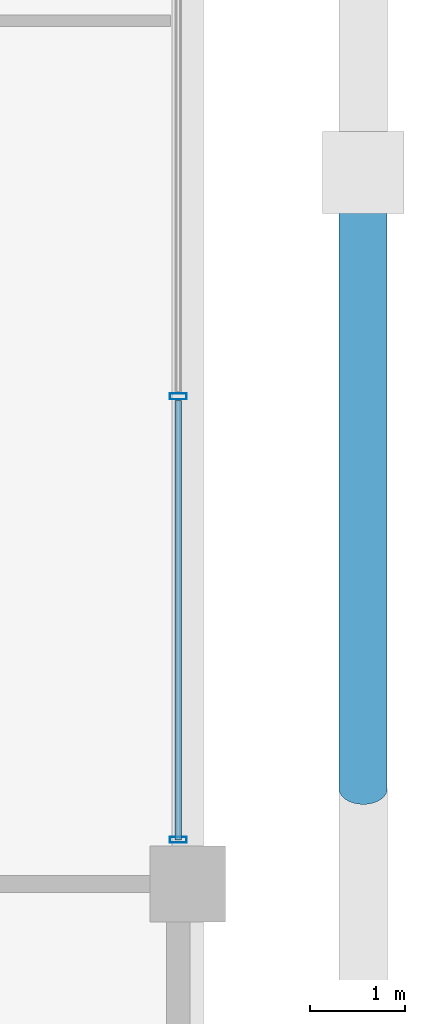
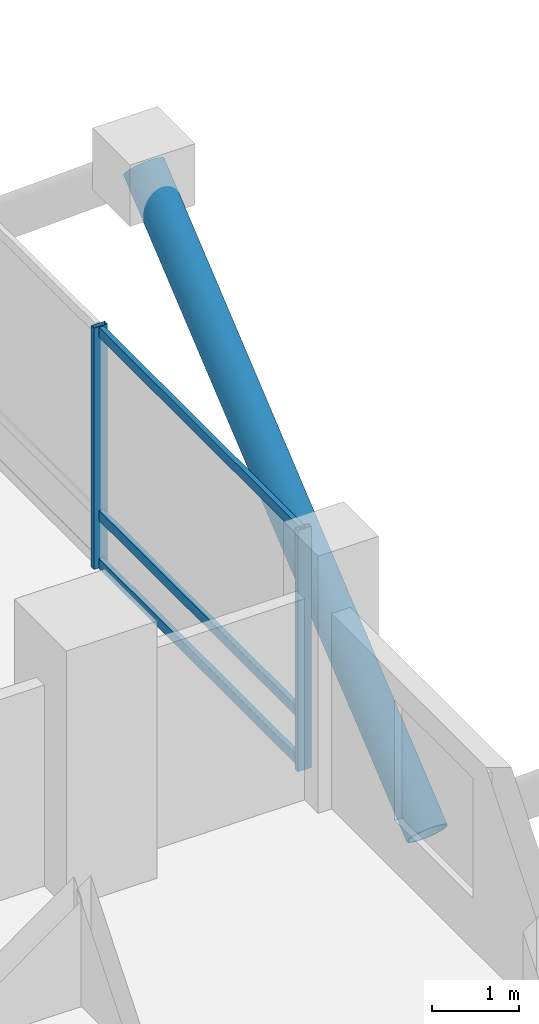
# One storey, part 8 of 23: 6 members, 1 element without a shape of its own.
"""IFC4 building model written with IfcOpenShell, lengths in metres."""

from ifc_helpers import new_model, si_unit, direction, frame, origin, origin_2d, place, context, subcontext, project, spatial, hollow_rectangle, hollow_circle, extrude, material, layer, layer_set, material_profile, profile_set, type_object, element, aggregate, save


model = new_model("IFC4")

# Units and contexts
model_context = context("Model", 3, precision=1e-05, world=origin(), true_north=direction((0.0, 1.0)))
body_context = subcontext(model_context, "Body", "Model", "MODEL_VIEW")
ifc_project = project(units=[si_unit("LENGTHUNIT", "METRE"), si_unit("AREAUNIT", "SQUARE_METRE"), si_unit("VOLUMEUNIT", "CUBIC_METRE"), si_unit("PLANEANGLEUNIT", "RADIAN"), si_unit("MASSUNIT", "GRAM", prefix="KILO")], contexts=[model_context])

# Site, building, storey
site_placement = place(None, origin())
site = spatial("IfcSite", under=ifc_project, at=site_placement, CompositionType="ELEMENT")
building_placement = place(site_placement, origin())
building = spatial("IfcBuilding", under=site, at=building_placement, Name="Barlavira Tower and Art Museum", CompositionType="ELEMENT")
storey_placement = place(building_placement, frame((0.0, 0.0, 151.199951171875)))
storey = spatial("IfcBuildingStorey", under=building, at=storey_placement, Name="L38", CompositionType="ELEMENT", Elevation=151.199951171875)

# Curtain wall, members
ifc_material_1 = material(Name="Low-iron coastal laminated glass", Category="glass")
ifc_layer = layer(ifc_material_1, 0.18994140625, Name="Low-iron coastal laminated glass")
ifc_layer_set = layer_set([ifc_layer], Name="Low-iron coastal laminated glass")
curtain_wall_type = type_object("IfcCurtainWallType", Name="Pale-Metal Unitised Curtain Wall Zone 2", PredefinedType="NOTDEFINED", material=ifc_layer_set)
curtain_wall_placement = place(storey_placement, origin())
curtain_wall = element("IfcCurtainWall", 1, at=curtain_wall_placement, inside=storey, type_object=curtain_wall_type, Name="L38 Curtain Wall CW2-L38-E-B3", PredefinedType="NOTDEFINED")
ifc_material_2 = material(Name="Pale anodised aluminium", Category="aluminium")
ifc_material_profile_1 = material_profile(ifc_material_2, hollow_rectangle(XDim=0.06494140625, YDim=0.179931640625, WallThickness=0.00390625, at=origin_2d()), Name="ALU-MULL 65x180x4")
ifc_profile_set_1 = profile_set([ifc_material_profile_1], Name="Pale anodised aluminium")
member_type_1 = type_object("IfcMemberType", Name="Curtain Wall Pale-Metal Mullion 65x180", PredefinedType="MULLION", material=ifc_profile_set_1)
member_1_placement = place(storey_placement, frame((20.14990234375, -7.034912109375, 0.0), z_axis=(0.0, 0.0, 1.0), x_axis=(0.0, 1.0, 0.0)))
member_1 = element("IfcMember", 2, at=member_1_placement, type_object=member_type_1, Name="CW2-L38-E-B3 Mullion 0", PredefinedType="MULLION", context=body_context, shape_type="SweptSolid", body=[
    extrude(hollow_rectangle(XDim=0.06494140625, YDim=0.179931640625, WallThickness=0.00390625, at=origin_2d()), origin(), (0.0, 0.0, 1.0), 3.380126953125),
])
member_2_placement = place(storey_placement, frame((20.14990234375, -2.360107421875, 0.0), z_axis=(0.0, 0.0, 1.0), x_axis=(0.0, 1.0, 0.0)))
member_2 = element("IfcMember", 3, at=member_2_placement, type_object=member_type_1, Name="CW2-L38-E-B3 Mullion 1", PredefinedType="MULLION", context=body_context, shape_type="SweptSolid", body=[
    extrude(hollow_rectangle(XDim=0.06494140625, YDim=0.179931640625, WallThickness=0.00390625, at=origin_2d()), origin(), (0.0, 0.0, 1.0), 3.380126953125),
])
ifc_material_profile_2 = material_profile(ifc_material_2, hollow_rectangle(XDim=0.06494140625, YDim=0.139892578125, WallThickness=0.00390625, at=origin_2d()), Name="ALU-TRAN 65x140x4")
ifc_profile_set_2 = profile_set([ifc_material_profile_2], Name="Pale anodised aluminium")
member_type_2 = type_object("IfcMemberType", Name="Curtain Wall Pale-Metal Transom 65x140", PredefinedType="USERDEFINED", material=ifc_profile_set_2)
member_3_placement = place(storey_placement, frame((20.14990234375, -7.034912109375, 0.070068359375), z_axis=(0.0, 1.0, 0.0), x_axis=(-1.0, 0.0, 0.0)))
member_3 = element("IfcMember", 4, at=member_3_placement, type_object=member_type_2, Name="CW2-L38-E-B3 Transom 0.1", ObjectType="TRANSOM", PredefinedType="USERDEFINED", context=body_context, shape_type="SweptSolid", body=[
    extrude(hollow_rectangle(XDim=0.06494140625, YDim=0.139892578125, WallThickness=0.00390625, at=origin_2d()), origin(), (0.0, 0.0, 1.0), 4.6298828125),
])
member_4_placement = place(storey_placement, frame((20.14990234375, -7.034912109375, 0.744140625), z_axis=(0.0, 1.0, 0.0), x_axis=(-1.0, 0.0, 0.0)))
member_4 = element("IfcMember", 5, at=member_4_placement, type_object=member_type_2, Name="CW2-L38-E-B3 Transom 0.2", ObjectType="TRANSOM", PredefinedType="USERDEFINED", context=body_context, shape_type="SweptSolid", body=[
    extrude(hollow_rectangle(XDim=0.06494140625, YDim=0.139892578125, WallThickness=0.00390625, at=origin_2d()), origin(), (0.0, 0.0, 1.0), 4.6298828125),
])
member_5_placement = place(storey_placement, frame((20.14990234375, -7.034912109375, 3.31005859375), z_axis=(0.0, 1.0, 0.0), x_axis=(-1.0, 0.0, 0.0)))
member_5 = element("IfcMember", 6, at=member_5_placement, type_object=member_type_2, Name="CW2-L38-E-B3 Transom 0.3", ObjectType="TRANSOM", PredefinedType="USERDEFINED", context=body_context, shape_type="SweptSolid", body=[
    extrude(hollow_rectangle(XDim=0.06494140625, YDim=0.139892578125, WallThickness=0.00390625, at=origin_2d()), origin(), (0.0, 0.0, 1.0), 4.6298828125),
])
aggregate(curtain_wall, [member_1, member_2, member_3, member_4, member_5])

# Member
ifc_material_3 = material(Name="Steel S355", Category="steel")
ifc_material_profile_3 = material_profile(ifc_material_3, hollow_circle(Radius=0.25390625, WallThickness=0.022216796875, at=origin_2d()), Name="CHS 508.0x22.2")
ifc_profile_set_3 = profile_set([ifc_material_profile_3], Name="Steel S355")
member_type_3 = type_object("IfcMemberType", Name="Pale-Metal Exoskeleton Diagrid Tube CHS 508x22 Steel S355", PredefinedType="BRACE", material=ifc_profile_set_3)
member_6_placement = place(storey_placement, frame((22.10009765625, -6.5, -1.919921875), z_axis=(0.0, 0.769196053329, 0.639012857104), x_axis=(-1.0, 0.0, 0.0)))
element("IfcMember", 7, at=member_6_placement, inside=storey, type_object=member_type_3, Name="L38 Exoskeleton Diagrid Tube E", PredefinedType="BRACE", context=body_context, shape_type="SweptSolid", body=[
    extrude(hollow_circle(Radius=0.25390625, WallThickness=0.022216796875, at=origin_2d()), origin(), (0.0, 0.0, 1.0), 8.450439453125),
])

save(model, "model.ifc")
